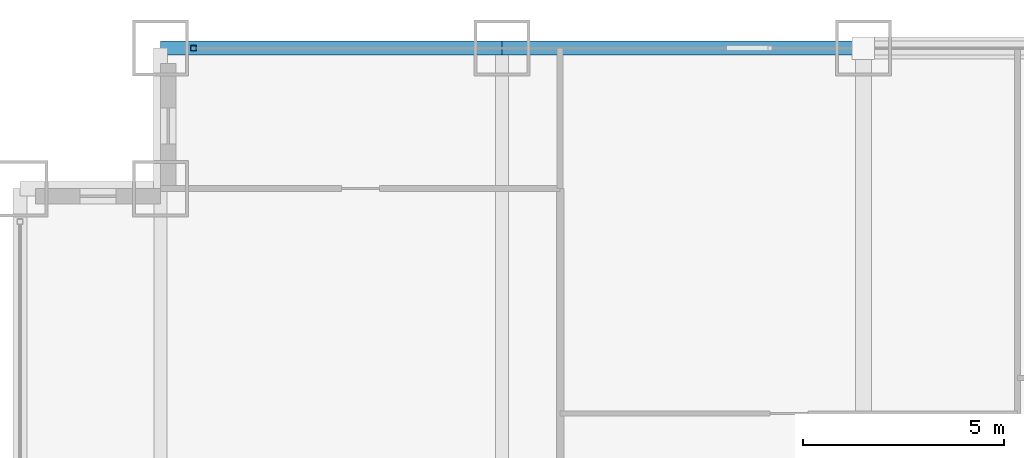
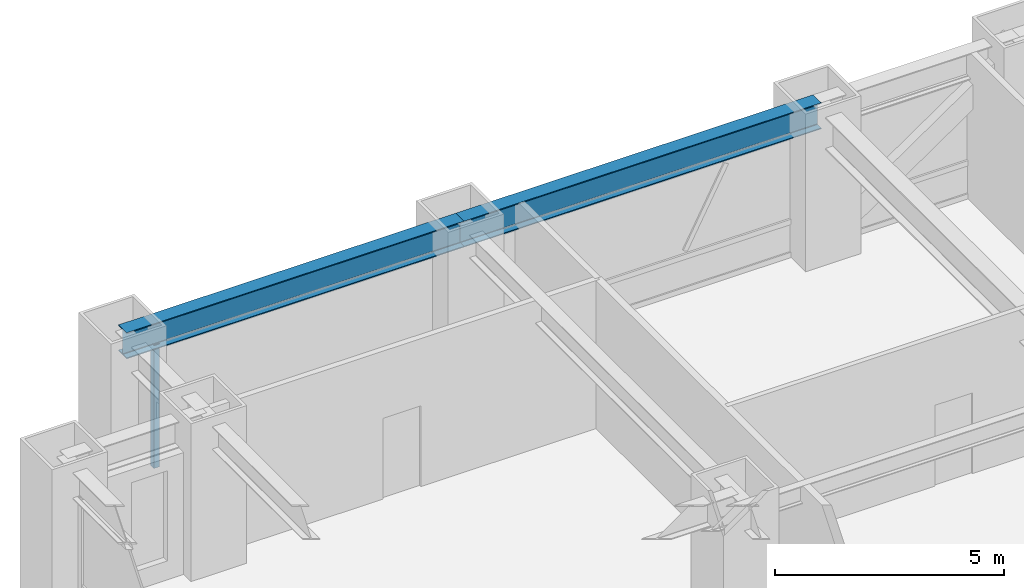
# One storey, part 17 of 28: 2 beams, 1 member, 1 element without a shape of its own.
"""IFC4 building model written with IfcOpenShell, lengths in metres."""

from ifc_helpers import new_model, si_unit, direction, frame, origin, origin_2d, place, context, subcontext, project, spatial, hollow_rectangle, i_section, extrude, source, transform, mapped, material, material_profile, profile_set, type_object, element, aggregate, save


model = new_model("IFC4")

# Units and contexts
model_context = context("Model", 3, precision=1e-05, world=origin(), true_north=direction((0.0, 1.0)))
body_context = subcontext(model_context, "Body", "Model", "MODEL_VIEW")
ifc_project = project(units=[si_unit("LENGTHUNIT", "METRE"), si_unit("AREAUNIT", "SQUARE_METRE"), si_unit("VOLUMEUNIT", "CUBIC_METRE"), si_unit("PLANEANGLEUNIT", "RADIAN"), si_unit("MASSUNIT", "GRAM", prefix="KILO")], contexts=[model_context])

# Site, building, storey
site_placement = place(None, origin())
site = spatial("IfcSite", under=ifc_project, at=site_placement, CompositionType="ELEMENT")
building_placement = place(site_placement, origin())
building = spatial("IfcBuilding", under=site, at=building_placement, Name="Khorayat Bourse Tower", CompositionType="ELEMENT")
storey_placement = place(building_placement, frame((0.0, 0.0, 83.0)))
storey = spatial("IfcBuildingStorey", under=building, at=storey_placement, Name="L18", CompositionType="ELEMENT", Elevation=83.0)

# Beams
ifc_material_1 = material(Name="Steel ASTM A992 Grade 50", Category="steel")
ifc_material_profile_1 = material_profile(ifc_material_1, i_section(OverallWidth=0.35498046875, OverallDepth=0.695068359375, WebThickness=0.015380859375, FlangeThickness=0.02490234375, FilletRadius=0.01806640625, at=origin_2d()), Name="W690X217")
ifc_profile_set_1 = profile_set([ifc_material_profile_1], Name="Steel ASTM A992 Grade 50")
beam_type = type_object("IfcBeamType", Name="BM-SPAN-690", PredefinedType="SPANDREL", material=ifc_profile_set_1)
shared_shape_1 = source(origin(), body_context, "Body", "SweptSolid", [
    extrude(i_section(OverallWidth=0.35498046875, OverallDepth=0.695068359375, WebThickness=0.015380859375, FlangeThickness=0.02490234375, FilletRadius=0.01806640625, at=origin_2d()), origin(), (0.0, 0.0, 1.0), 8.5),
])
beam_1_placement = place(storey_placement, frame((-28.5, 32.0, 3.592529296875), z_axis=(1.0, 0.0, 0.0), x_axis=(0.0, 1.0, 0.0)))
element("IfcBeam", 1, at=beam_1_placement, inside=storey, type_object=beam_type, Name="L18 BM-SPAN-690 BM-L18-SPN-051", PredefinedType="SPANDREL", context=body_context, shape_type="MappedRepresentation", body=[
    mapped(shared_shape_1, transform((0.0, 0.0, 0.0), scale=1.0)),
])
shared_shape_2 = source(origin(), body_context, "Body", "SweptSolid", [
    extrude(i_section(OverallWidth=0.35498046875, OverallDepth=0.695068359375, WebThickness=0.015380859375, FlangeThickness=0.02490234375, FilletRadius=0.01806640625, at=origin_2d()), origin(), (0.0, 0.0, 1.0), 9.0),
])
beam_2_placement = place(storey_placement, frame((-20.0, 32.0, 3.592529296875), z_axis=(1.0, 0.0, 0.0), x_axis=(0.0, 1.0, 0.0)))
element("IfcBeam", 2, at=beam_2_placement, inside=storey, type_object=beam_type, Name="L18 BM-SPAN-690 BM-L18-SPN-050", PredefinedType="SPANDREL", context=body_context, shape_type="MappedRepresentation", body=[
    mapped(shared_shape_2, transform((0.0, 0.0, 0.0), scale=1.0)),
])

# Curtain wall, member
ifc_material_2 = material(Name="Aluminium EN AW-6063 T6", Category="aluminium")
curtain_wall_type = type_object("IfcCurtainWallType", Name="CW-SYS-02", PredefinedType="NOTDEFINED", material=ifc_material_2)
curtain_wall_placement = place(storey_placement, origin())
curtain_wall = element("IfcCurtainWall", 3, at=curtain_wall_placement, inside=storey, type_object=curtain_wall_type, Name="L18 Curtain Wall CW-L18-N1", PredefinedType="NOTDEFINED")
ifc_material_profile_2 = material_profile(ifc_material_2, hollow_rectangle(XDim=0.139892578125, YDim=0.139892578125, WallThickness=0.006103515625, at=origin_2d()), Name="ALU 140x140x6")
ifc_profile_set_2 = profile_set([ifc_material_profile_2], Name="Aluminium EN AW-6063 T6")
member_type = type_object("IfcMemberType", Name="CWM-VERT-140", PredefinedType="MULLION", material=ifc_profile_set_2)
shared_shape_3 = source(origin(), body_context, "Body", "SweptSolid", [
    extrude(hollow_rectangle(XDim=0.139892578125, YDim=0.139892578125, WallThickness=0.006103515625, at=origin_2d()), origin(), (0.0, 0.0, 1.0), 3.2900390625),
])
member_placement = place(storey_placement, frame((-27.679931640625, 32.0, 0.0), z_axis=(0.0, 0.0, 1.0), x_axis=(0.0, 1.0, 0.0)))
member = element("IfcMember", 4, at=member_placement, type_object=member_type, Name="CW-L18-N1 Vertical Mullion 1", PredefinedType="MULLION", context=body_context, shape_type="MappedRepresentation", body=[
    mapped(shared_shape_3, transform((0.0, 0.0, 0.0), scale=1.0)),
])
aggregate(curtain_wall, [member])

save(model, "model.ifc")
